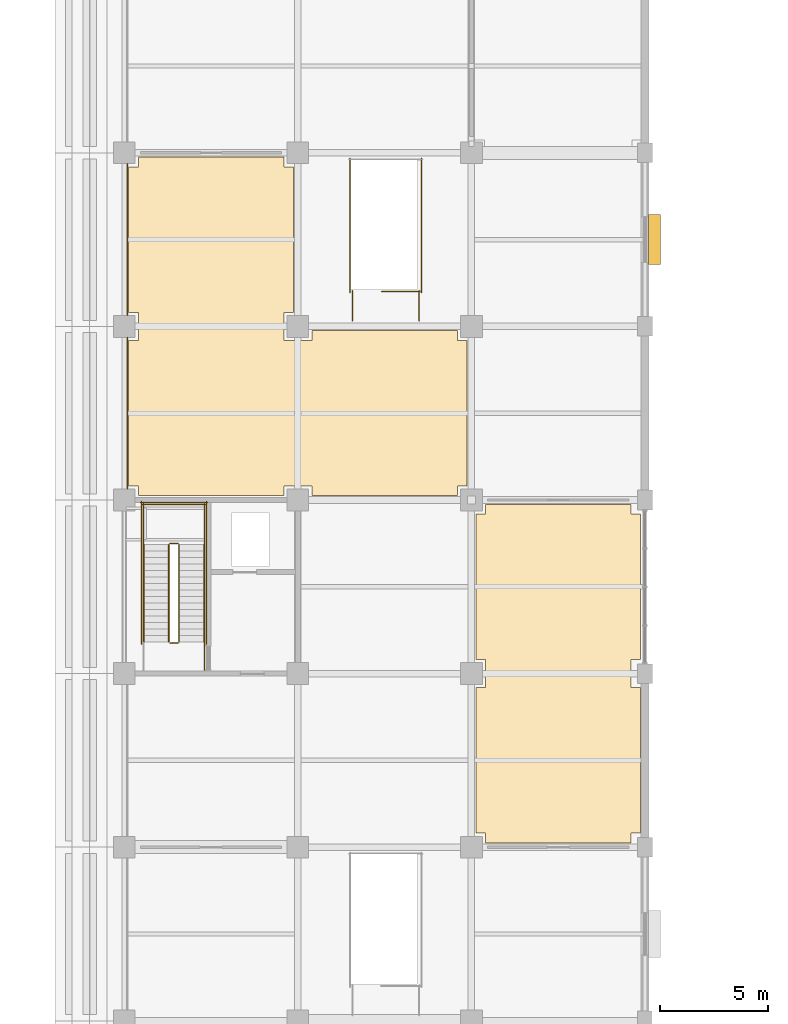
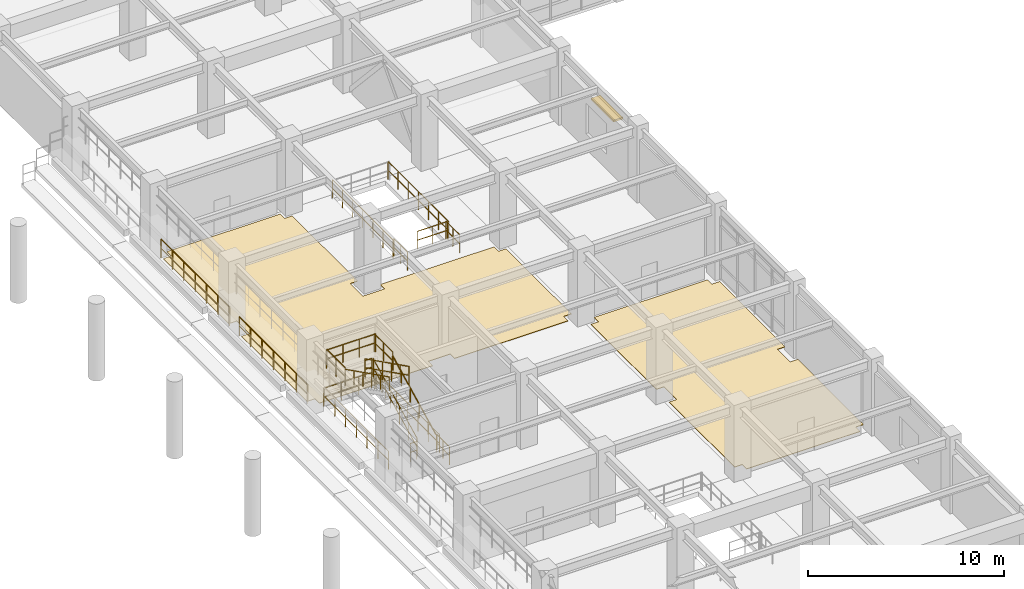
# One storey, part 110 of 117: 20 railings, 2 coverings, 1 shading device.
"""IFC4 building model written with IfcOpenShell, lengths in metres."""

from ifc_helpers import new_model, si_unit, direction, frame, origin, origin_2d, place, context, subcontext, project, spatial, polyline, rectangle, circle, outline, extrude, material, layer, layer_set, type_object, element, save


model = new_model("IFC4")

# Units and contexts
model_context = context("Model", 3, precision=1e-05, world=origin(), true_north=direction((0.0, 1.0)))
body_context = subcontext(model_context, "Body", "Model", "MODEL_VIEW")
ifc_project = project(units=[si_unit("LENGTHUNIT", "METRE"), si_unit("AREAUNIT", "SQUARE_METRE"), si_unit("VOLUMEUNIT", "CUBIC_METRE"), si_unit("PLANEANGLEUNIT", "RADIAN"), si_unit("MASSUNIT", "GRAM", prefix="KILO")], contexts=[model_context])

# Site, building, storey
site_placement = place(None, origin())
site = spatial("IfcSite", under=ifc_project, at=site_placement, CompositionType="ELEMENT")
building_placement = place(site_placement, origin())
building = spatial("IfcBuilding", under=site, at=building_placement, Name="Haebicheon Civic Stadium", CompositionType="ELEMENT")
storey_placement = place(building_placement, frame((0.0, 0.0, 4.800048828125)))
storey = spatial("IfcBuildingStorey", under=building, at=storey_placement, Name="L02", CompositionType="ELEMENT", Elevation=4.800048828125)

# Coverings
ifc_material_1 = material(Name="Quartz epoxy resin mortar", Category="concrete")
ifc_layer_1 = layer(ifc_material_1, 0.030029296875, Name="Quartz epoxy resin mortar")
ifc_layer_set_1 = layer_set([ifc_layer_1], Name="Quartz epoxy resin mortar")
covering_type = type_object("IfcCoveringType", Name="COV-FLR-EPX", PredefinedType="FLOORING", material=ifc_layer_set_1)
covering_1_placement = place(storey_placement, origin())
element("IfcCovering", 1, at=covering_1_placement, inside=storey, type_object=covering_type, material=ifc_layer_set_1, Name="L02 Main Spectator Concourse non-slip floor finish", PredefinedType="FLOORING", context=body_context, shape_type="SweptSolid", body=[
    extrude(outline(polyline([(144.199951171875, 119.35009765625), (144.64990234375, 119.35009765625), (144.64990234375, 120.64990234375), (144.199951171875, 120.64990234375), (144.199951171875, 127.35009765625), (144.64990234375, 127.35009765625), (144.64990234375, 127.800048828125), (151.35009765625, 127.800048828125), (151.35009765625, 127.35009765625), (151.800048828125, 127.35009765625), (151.800048828125, 120.64990234375), (151.35009765625, 120.64990234375), (151.35009765625, 119.35009765625), (152.64990234375, 119.35009765625), (152.64990234375, 119.800048828125), (159.35009765625, 119.800048828125), (159.35009765625, 119.35009765625), (159.800048828125, 119.35009765625), (159.800048828125, 112.64990234375), (159.35009765625, 112.64990234375), (159.35009765625, 112.199951171875), (152.64990234375, 112.199951171875), (152.64990234375, 112.64990234375), (151.35009765625, 112.64990234375), (151.35009765625, 112.199951171875), (144.64990234375, 112.199951171875), (144.64990234375, 112.64990234375), (144.199951171875, 112.64990234375), (144.199951171875, 119.35009765625)])), origin(), (0.0, 0.0, 1.0), 0.030029296875),
])
covering_2_placement = place(storey_placement, origin())
element("IfcCovering", 2, at=covering_2_placement, inside=storey, type_object=covering_type, material=ifc_layer_set_1, Name="L02 Main Spectator Concourse non-slip floor finish", PredefinedType="FLOORING", context=body_context, shape_type="SweptSolid", body=[
    extrude(outline(polyline([(160.64990234375, 96.199951171875), (160.64990234375, 96.64990234375), (160.199951171875, 96.64990234375), (160.199951171875, 103.35009765625), (160.64990234375, 103.35009765625), (160.64990234375, 104.64990234375), (160.199951171875, 104.64990234375), (160.199951171875, 111.35009765625), (160.64990234375, 111.35009765625), (160.64990234375, 111.800048828125), (167.35009765625, 111.800048828125), (167.35009765625, 111.35009765625), (167.800048828125, 111.35009765625), (167.800048828125, 104.64990234375), (167.35009765625, 104.64990234375), (167.35009765625, 103.35009765625), (167.800048828125, 103.35009765625), (167.800048828125, 96.64990234375), (167.35009765625, 96.64990234375), (167.35009765625, 96.199951171875), (160.64990234375, 96.199951171875)])), origin(), (0.0, 0.0, 1.0), 0.030029296875),
])

# Railings
ifc_material_2 = material(Name="Stainless steel 316 and laminated glass", Category="steel")
railing_type_1 = type_object("IfcRailingType", Name="RL-BAL-1200", PredefinedType="BALUSTRADE", material=ifc_material_2)
for number, where, name in (
    (3, (144.139892578125, 112.5, 0.0), "L02 concourse bowl-edge balustrade 030"),
    (4, (144.139892578125, 120.5, 0.0), "L02 concourse bowl-edge balustrade 031"),
):
    element("IfcRailing", number, at=place(storey_placement, frame(where)), inside=storey, type_object=railing_type_1, material=ifc_material_2, Name=name, PredefinedType="BALUSTRADE", context=body_context, shape_type="SweptSolid", body=[
        extrude(circle(Radius=0.02392578125, at=origin_2d()), frame((0.0, 0.0, 1.17578125), z_axis=(0.0, 1.0, 0.0), x_axis=(-1.0, 0.0, 0.0)), (0.0, 0.0, 1.0), 7.0),
        extrude(circle(Radius=0.02392578125, at=origin_2d()), frame((0.0, 0.0, 0.60009765625), z_axis=(0.0, 1.0, 0.0), x_axis=(-1.0, 0.0, 0.0)), (0.0, 0.0, 1.0), 7.0),
        extrude(circle(Radius=0.02099609375, at=origin_2d()), origin(), (0.0, 0.0, 1.0), 1.15185546875),
        extrude(circle(Radius=0.02099609375, at=origin_2d()), frame((0.0, 1.166748046875, 0.0)), (0.0, 0.0, 1.0), 1.15185546875),
        extrude(circle(Radius=0.02099609375, at=origin_2d()), frame((0.0, 2.333251953125, 0.0)), (0.0, 0.0, 1.0), 1.15185546875),
        extrude(circle(Radius=0.02099609375, at=origin_2d()), frame((0.0, 3.5, 0.0)), (0.0, 0.0, 1.0), 1.15185546875),
        extrude(circle(Radius=0.02099609375, at=origin_2d()), frame((0.0, 4.666748046875, 0.0)), (0.0, 0.0, 1.0), 1.15185546875),
        extrude(circle(Radius=0.02099609375, at=origin_2d()), frame((0.0, 5.833251953125, 0.0)), (0.0, 0.0, 1.0), 1.15185546875),
        extrude(circle(Radius=0.02099609375, at=origin_2d()), frame((0.0, 7.0, 0.0)), (0.0, 0.0, 1.0), 1.15185546875),
    ])
ifc_material_3 = material(Name="Galvanised painted steel SM355", Category="steel")
railing_type_2 = type_object("IfcRailingType", Name="RL-GRD-1150", PredefinedType="GUARDRAIL", material=ifc_material_3)
railing_1_placement = place(storey_placement, frame((146.530029296875, 105.449951171875, 0.14990234375)))
element("IfcRailing", 5, at=railing_1_placement, inside=storey, type_object=railing_type_2, material=ifc_material_3, Name="L02 ST-11 stair guard 1", PredefinedType="GUARDRAIL", context=body_context, shape_type="SweptSolid", body=[
    extrude(circle(Radius=0.02392578125, at=origin_2d()), frame((0.0, 0.0, 1.1259765625), z_axis=(0.0, 0.894427191, 0.4472135955), x_axis=(-1.0, 0.0, 0.0)), (0.0, 0.0, 1.0), 5.03125),
    extrude(circle(Radius=0.02392578125, at=origin_2d()), frame((0.0, 0.0, 0.574951171875), z_axis=(0.0, 0.894427191, 0.4472135955), x_axis=(-1.0, 0.0, 0.0)), (0.0, 0.0, 1.0), 5.03125),
    extrude(circle(Radius=0.02099609375, at=origin_2d()), origin(), (0.0, 0.0, 1.0), 1.101806640625),
    extrude(circle(Radius=0.02099609375, at=origin_2d()), frame((0.0, 0.89990234375, 0.449951171875)), (0.0, 0.0, 1.0), 1.101806640625),
    extrude(circle(Radius=0.02099609375, at=origin_2d()), frame((0.0, 1.800048828125, 0.89990234375)), (0.0, 0.0, 1.0), 1.101806640625),
    extrude(circle(Radius=0.02099609375, at=origin_2d()), frame((0.0, 2.699951171875, 1.35009765625)), (0.0, 0.0, 1.0), 1.101806640625),
    extrude(circle(Radius=0.02099609375, at=origin_2d()), frame((0.0, 3.60009765625, 1.800048828125)), (0.0, 0.0, 1.0), 1.101806640625),
    extrude(circle(Radius=0.02099609375, at=origin_2d()), frame((0.0, 4.5, 2.25)), (0.0, 0.0, 1.0), 1.101806640625),
])
railing_2_placement = place(storey_placement, frame((146.47998046875, 110.0, 2.39990234375)))
element("IfcRailing", 6, at=railing_2_placement, inside=storey, type_object=railing_type_2, material=ifc_material_3, Name="L02 ST-11 stair guard 2", PredefinedType="GUARDRAIL", context=body_context, shape_type="SweptSolid", body=[
    extrude(circle(Radius=0.02392578125, at=origin_2d()), frame((0.0, 0.0, 1.1259765625), z_axis=(-1.0, 0.0, 0.0), x_axis=(0.0, -1.0, 0.0)), (0.0, 0.0, 1.0), 0.3798828125),
    extrude(circle(Radius=0.02392578125, at=origin_2d()), frame((0.0, 0.0, 0.574951171875), z_axis=(-1.0, 0.0, 0.0), x_axis=(0.0, -1.0, 0.0)), (0.0, 0.0, 1.0), 0.3798828125),
    extrude(circle(Radius=0.02099609375, at=origin_2d()), origin(), (0.0, 0.0, 1.0), 1.101806640625),
    extrude(circle(Radius=0.02099609375, at=origin_2d()), frame((-0.3798828125, 0.0, 0.0)), (0.0, 0.0, 1.0), 1.101806640625),
])
for number, where, name in (
    (7, (147.68994140625, 109.949951171875, 2.39990234375), "L02 ST-11 stair guard 3"),
    (8, (144.889892578125, 109.949951171875, 2.39990234375), "L02 ST-11 stair guard 4"),
):
    element("IfcRailing", number, at=place(storey_placement, frame(where)), inside=storey, type_object=railing_type_2, material=ifc_material_3, Name=name, PredefinedType="GUARDRAIL", context=body_context, shape_type="SweptSolid", body=[
        extrude(circle(Radius=0.02392578125, at=origin_2d()), frame((0.0, 0.0, 1.1259765625), z_axis=(0.0, 1.0, 0.0), x_axis=(-1.0, 0.0, 0.0)), (0.0, 0.0, 1.0), 1.89013671875),
        extrude(circle(Radius=0.02392578125, at=origin_2d()), frame((0.0, 0.0, 0.574951171875), z_axis=(0.0, 1.0, 0.0), x_axis=(-1.0, 0.0, 0.0)), (0.0, 0.0, 1.0), 1.89013671875),
        extrude(circle(Radius=0.02099609375, at=origin_2d()), origin(), (0.0, 0.0, 1.0), 1.101806640625),
        extrude(circle(Radius=0.02099609375, at=origin_2d()), frame((0.0, 0.945068359375, 0.0)), (0.0, 0.0, 1.0), 1.101806640625),
        extrude(circle(Radius=0.02099609375, at=origin_2d()), frame((0.0, 1.89013671875, 0.0)), (0.0, 0.0, 1.0), 1.101806640625),
    ])
railing_3_placement = place(storey_placement, frame((147.739990234375, 111.7900390625, 2.39990234375)))
element("IfcRailing", 9, at=railing_3_placement, inside=storey, type_object=railing_type_2, material=ifc_material_3, Name="L02 ST-11 stair guard 5", PredefinedType="GUARDRAIL", context=body_context, shape_type="SweptSolid", body=[
    extrude(circle(Radius=0.02392578125, at=origin_2d()), frame((0.0, 0.0, 1.1259765625), z_axis=(-1.0, 0.0, 0.0), x_axis=(0.0, -1.0, 0.0)), (0.0, 0.0, 1.0), 2.89990234375),
    extrude(circle(Radius=0.02392578125, at=origin_2d()), frame((0.0, 0.0, 0.574951171875), z_axis=(-1.0, 0.0, 0.0), x_axis=(0.0, -1.0, 0.0)), (0.0, 0.0, 1.0), 2.89990234375),
    extrude(circle(Radius=0.02099609375, at=origin_2d()), origin(), (0.0, 0.0, 1.0), 1.101806640625),
    extrude(circle(Radius=0.02099609375, at=origin_2d()), frame((-0.966552734375, 0.0, 0.0)), (0.0, 0.0, 1.0), 1.101806640625),
    extrude(circle(Radius=0.02099609375, at=origin_2d()), frame((-1.933349609375, 0.0, 0.0)), (0.0, 0.0, 1.0), 1.101806640625),
    extrude(circle(Radius=0.02099609375, at=origin_2d()), frame((-2.89990234375, 0.0, 0.0)), (0.0, 0.0, 1.0), 1.101806640625),
])
railing_4_placement = place(storey_placement, frame((146.050048828125, 109.949951171875, 2.550048828125)))
element("IfcRailing", 10, at=railing_4_placement, inside=storey, type_object=railing_type_2, material=ifc_material_3, Name="L02 ST-11 stair guard 6", PredefinedType="GUARDRAIL", context=body_context, shape_type="SweptSolid", body=[
    extrude(circle(Radius=0.02392578125, at=origin_2d()), frame((0.0, 0.0, 1.1259765625), z_axis=(0.0, -0.894427191, 0.4472135955), x_axis=(1.0, 0.0, 0.0)), (0.0, 0.0, 1.0), 5.03125),
    extrude(circle(Radius=0.02392578125, at=origin_2d()), frame((0.0, 0.0, 0.574951171875), z_axis=(0.0, -0.894427191, 0.4472135955), x_axis=(1.0, 0.0, 0.0)), (0.0, 0.0, 1.0), 5.03125),
    extrude(circle(Radius=0.02099609375, at=origin_2d()), origin(), (0.0, 0.0, 1.0), 1.101806640625),
    extrude(circle(Radius=0.02099609375, at=origin_2d()), frame((0.0, -0.89990234375, 0.449951171875)), (0.0, 0.0, 1.0), 1.101806640625),
    extrude(circle(Radius=0.02099609375, at=origin_2d()), frame((0.0, -1.800048828125, 0.89990234375)), (0.0, 0.0, 1.0), 1.101806640625),
    extrude(circle(Radius=0.02099609375, at=origin_2d()), frame((0.0, -2.699951171875, 1.35009765625)), (0.0, 0.0, 1.0), 1.101806640625),
    extrude(circle(Radius=0.02099609375, at=origin_2d()), frame((0.0, -3.60009765625, 1.800048828125)), (0.0, 0.0, 1.0), 1.101806640625),
    extrude(circle(Radius=0.02099609375, at=origin_2d()), frame((0.0, -4.5, 2.25)), (0.0, 0.0, 1.0), 1.101806640625),
])
railing_5_placement = place(storey_placement, frame((146.47998046875, 105.39990234375, 0.0)))
element("IfcRailing", 11, at=railing_5_placement, inside=storey, type_object=railing_type_2, material=ifc_material_3, Name="L02 ST-11 stair guard 7", PredefinedType="GUARDRAIL", context=body_context, shape_type="SweptSolid", body=[
    extrude(circle(Radius=0.02392578125, at=origin_2d()), frame((0.0, 0.0, 1.1259765625), z_axis=(-1.0, 0.0, 0.0), x_axis=(0.0, -1.0, 0.0)), (0.0, 0.0, 1.0), 0.3798828125),
    extrude(circle(Radius=0.02392578125, at=origin_2d()), frame((0.0, 0.0, 0.574951171875), z_axis=(-1.0, 0.0, 0.0), x_axis=(0.0, -1.0, 0.0)), (0.0, 0.0, 1.0), 0.3798828125),
    extrude(circle(Radius=0.02099609375, at=origin_2d()), origin(), (0.0, 0.0, 1.0), 1.101806640625),
    extrude(circle(Radius=0.02099609375, at=origin_2d()), frame((-0.3798828125, 0.0, 0.0)), (0.0, 0.0, 1.0), 1.101806640625),
])
railing_6_placement = place(storey_placement, frame((147.68994140625, 104.159912109375, 0.0)))
element("IfcRailing", 12, at=railing_6_placement, inside=storey, type_object=railing_type_2, material=ifc_material_3, Name="L02 ST-11 stair guard 8", PredefinedType="GUARDRAIL", context=body_context, shape_type="SweptSolid", body=[
    extrude(circle(Radius=0.02392578125, at=origin_2d()), frame((0.0, 0.0, 1.1259765625), z_axis=(0.0, 1.0, 0.0), x_axis=(-1.0, 0.0, 0.0)), (0.0, 0.0, 1.0), 1.2900390625),
    extrude(circle(Radius=0.02392578125, at=origin_2d()), frame((0.0, 0.0, 0.574951171875), z_axis=(0.0, 1.0, 0.0), x_axis=(-1.0, 0.0, 0.0)), (0.0, 0.0, 1.0), 1.2900390625),
    extrude(circle(Radius=0.02099609375, at=origin_2d()), origin(), (0.0, 0.0, 1.0), 1.101806640625),
    extrude(circle(Radius=0.02099609375, at=origin_2d()), frame((0.0, 0.64501953125, 0.0)), (0.0, 0.0, 1.0), 1.101806640625),
    extrude(circle(Radius=0.02099609375, at=origin_2d()), frame((0.0, 1.2900390625, 0.0)), (0.0, 0.0, 1.0), 1.101806640625),
])
for number, where, name in (
    (13, (147.7900390625, 105.35009765625, 0.0), "L02 ST-11 stair guard 10"),
    (14, (144.7900390625, 105.35009765625, 0.0), "L02 ST-11 stair guard 11"),
):
    element("IfcRailing", number, at=place(storey_placement, frame(where)), inside=storey, type_object=railing_type_2, material=ifc_material_3, Name=name, PredefinedType="GUARDRAIL", context=body_context, shape_type="SweptSolid", body=[
        extrude(circle(Radius=0.02392578125, at=origin_2d()), frame((0.0, 0.0, 1.1259765625), z_axis=(0.0, 1.0, 0.0), x_axis=(-1.0, 0.0, 0.0)), (0.0, 0.0, 1.0), 6.58984375),
        extrude(circle(Radius=0.02392578125, at=origin_2d()), frame((0.0, 0.0, 0.574951171875), z_axis=(0.0, 1.0, 0.0), x_axis=(-1.0, 0.0, 0.0)), (0.0, 0.0, 1.0), 6.58984375),
        extrude(circle(Radius=0.02099609375, at=origin_2d()), origin(), (0.0, 0.0, 1.0), 1.101806640625),
        extrude(circle(Radius=0.02099609375, at=origin_2d()), frame((0.0, 1.098388671875, 0.0)), (0.0, 0.0, 1.0), 1.101806640625),
        extrude(circle(Radius=0.02099609375, at=origin_2d()), frame((0.0, 2.196533203125, 0.0)), (0.0, 0.0, 1.0), 1.101806640625),
        extrude(circle(Radius=0.02099609375, at=origin_2d()), frame((0.0, 3.294921875, 0.0)), (0.0, 0.0, 1.0), 1.101806640625),
        extrude(circle(Radius=0.02099609375, at=origin_2d()), frame((0.0, 4.393310546875, 0.0)), (0.0, 0.0, 1.0), 1.101806640625),
        extrude(circle(Radius=0.02099609375, at=origin_2d()), frame((0.0, 5.491455078125, 0.0)), (0.0, 0.0, 1.0), 1.101806640625),
        extrude(circle(Radius=0.02099609375, at=origin_2d()), frame((0.0, 6.58984375, 0.0)), (0.0, 0.0, 1.0), 1.101806640625),
    ])
railing_7_placement = place(storey_placement, frame((147.840087890625, 111.889892578125, 0.0)))
element("IfcRailing", 15, at=railing_7_placement, inside=storey, type_object=railing_type_2, material=ifc_material_3, Name="L02 ST-11 stair guard 12", PredefinedType="GUARDRAIL", context=body_context, shape_type="SweptSolid", body=[
    extrude(circle(Radius=0.02392578125, at=origin_2d()), frame((0.0, 0.0, 1.1259765625), z_axis=(-1.0, 0.0, 0.0), x_axis=(0.0, -1.0, 0.0)), (0.0, 0.0, 1.0), 3.10009765625),
    extrude(circle(Radius=0.02392578125, at=origin_2d()), frame((0.0, 0.0, 0.574951171875), z_axis=(-1.0, 0.0, 0.0), x_axis=(0.0, -1.0, 0.0)), (0.0, 0.0, 1.0), 3.10009765625),
    extrude(circle(Radius=0.02099609375, at=origin_2d()), origin(), (0.0, 0.0, 1.0), 1.101806640625),
    extrude(circle(Radius=0.02099609375, at=origin_2d()), frame((-1.033447265625, 0.0, 0.0)), (0.0, 0.0, 1.0), 1.101806640625),
    extrude(circle(Radius=0.02099609375, at=origin_2d()), frame((-2.066650390625, 0.0, 0.0)), (0.0, 0.0, 1.0), 1.101806640625),
    extrude(circle(Radius=0.02099609375, at=origin_2d()), frame((-3.10009765625, 0.0, 0.0)), (0.0, 0.0, 1.0), 1.101806640625),
])
railing_8_placement = place(storey_placement, frame((157.639892578125, 121.60009765625, 0.0)))
element("IfcRailing", 16, at=railing_8_placement, inside=storey, type_object=railing_type_2, material=ifc_material_3, Name="L02 VM-08 top well guard 1", PredefinedType="GUARDRAIL", context=body_context, shape_type="SweptSolid", body=[
    extrude(circle(Radius=0.02392578125, at=origin_2d()), frame((0.0, 0.0, 1.1259765625), z_axis=(-1.0, 0.0, 0.0), x_axis=(0.0, -1.0, 0.0)), (0.0, 0.0, 1.0), 1.77978515625),
    extrude(circle(Radius=0.02392578125, at=origin_2d()), frame((0.0, 0.0, 0.574951171875), z_axis=(-1.0, 0.0, 0.0), x_axis=(0.0, -1.0, 0.0)), (0.0, 0.0, 1.0), 1.77978515625),
    extrude(circle(Radius=0.02099609375, at=origin_2d()), origin(), (0.0, 0.0, 1.0), 1.101806640625),
    extrude(circle(Radius=0.02099609375, at=origin_2d()), frame((-0.889892578125, 0.0, 0.0)), (0.0, 0.0, 1.0), 1.101806640625),
    extrude(circle(Radius=0.02099609375, at=origin_2d()), frame((-1.77978515625, 0.0, 0.0)), (0.0, 0.0, 1.0), 1.101806640625),
])
for number, where, name in (
    (17, (157.68994140625, 121.550048828125, 0.0), "L02 VM-08 top well guard 2"),
    (18, (154.409912109375, 121.550048828125, 0.0), "L02 VM-08 top well guard 3"),
):
    element("IfcRailing", number, at=place(storey_placement, frame(where)), inside=storey, type_object=railing_type_2, material=ifc_material_3, Name=name, PredefinedType="GUARDRAIL", context=body_context, shape_type="SweptSolid", body=[
        extrude(circle(Radius=0.02392578125, at=origin_2d()), frame((0.0, 0.0, 1.1259765625), z_axis=(0.0, 1.0, 0.0), x_axis=(-1.0, 0.0, 0.0)), (0.0, 0.0, 1.0), 6.199951171875),
        extrude(circle(Radius=0.02392578125, at=origin_2d()), frame((0.0, 0.0, 0.574951171875), z_axis=(0.0, 1.0, 0.0), x_axis=(-1.0, 0.0, 0.0)), (0.0, 0.0, 1.0), 6.199951171875),
        extrude(circle(Radius=0.02099609375, at=origin_2d()), origin(), (0.0, 0.0, 1.0), 1.101806640625),
        extrude(circle(Radius=0.02099609375, at=origin_2d()), frame((0.0, 1.033203125, 0.0)), (0.0, 0.0, 1.0), 1.101806640625),
        extrude(circle(Radius=0.02099609375, at=origin_2d()), frame((0.0, 2.066650390625, 0.0)), (0.0, 0.0, 1.0), 1.101806640625),
        extrude(circle(Radius=0.02099609375, at=origin_2d()), frame((0.0, 3.10009765625, 0.0)), (0.0, 0.0, 1.0), 1.101806640625),
        extrude(circle(Radius=0.02099609375, at=origin_2d()), frame((0.0, 4.13330078125, 0.0)), (0.0, 0.0, 1.0), 1.101806640625),
        extrude(circle(Radius=0.02099609375, at=origin_2d()), frame((0.0, 5.16650390625, 0.0)), (0.0, 0.0, 1.0), 1.101806640625),
        extrude(circle(Radius=0.02099609375, at=origin_2d()), frame((0.0, 6.199951171875, 0.0)), (0.0, 0.0, 1.0), 1.101806640625),
    ])
for number, where, name in (
    (19, (157.590087890625, 120.25, 0.0), "L02 VM-08 top well guard 5"),
    (20, (154.510009765625, 120.25, 0.0), "L02 VM-08 top well guard 6"),
):
    element("IfcRailing", number, at=place(storey_placement, frame(where)), inside=storey, type_object=railing_type_2, material=ifc_material_3, Name=name, PredefinedType="GUARDRAIL", context=body_context, shape_type="SweptSolid", body=[
        extrude(circle(Radius=0.02392578125, at=origin_2d()), frame((0.0, 0.0, 1.1259765625), z_axis=(0.0, 1.0, 0.0), x_axis=(-1.0, 0.0, 0.0)), (0.0, 0.0, 1.0), 1.39990234375),
        extrude(circle(Radius=0.02392578125, at=origin_2d()), frame((0.0, 0.0, 0.574951171875), z_axis=(0.0, 1.0, 0.0), x_axis=(-1.0, 0.0, 0.0)), (0.0, 0.0, 1.0), 1.39990234375),
        extrude(circle(Radius=0.02099609375, at=origin_2d()), origin(), (0.0, 0.0, 1.0), 1.101806640625),
        extrude(circle(Radius=0.02099609375, at=origin_2d()), frame((0.0, 0.699951171875, 0.0)), (0.0, 0.0, 1.0), 1.101806640625),
        extrude(circle(Radius=0.02099609375, at=origin_2d()), frame((0.0, 1.39990234375, 0.0)), (0.0, 0.0, 1.0), 1.101806640625),
    ])
ifc_material_4 = material(Name="Stainless steel 316", Category="steel")
railing_type_3 = type_object("IfcRailingType", Name="RL-HND-900", PredefinedType="HANDRAIL", material=ifc_material_4)
railing_9_placement = place(storey_placement, frame((147.68994140625, 105.449951171875, 0.14990234375)))
element("IfcRailing", 21, at=railing_9_placement, inside=storey, type_object=railing_type_3, material=ifc_material_4, Name="L02 ST-11 stair handrail 1", PredefinedType="HANDRAIL", context=body_context, shape_type="SweptSolid", body=[
    extrude(circle(Radius=0.02392578125, at=origin_2d()), frame((0.0, 0.0, 0.8759765625), z_axis=(0.0, 0.894427191, 0.4472135955), x_axis=(-1.0, 0.0, 0.0)), (0.0, 0.0, 1.0), 5.03125),
    extrude(circle(Radius=0.02099609375, at=origin_2d()), origin(), (0.0, 0.0, 1.0), 0.851806640625),
    extrude(circle(Radius=0.02099609375, at=origin_2d()), frame((0.0, 0.89990234375, 0.449951171875)), (0.0, 0.0, 1.0), 0.851806640625),
    extrude(circle(Radius=0.02099609375, at=origin_2d()), frame((0.0, 1.800048828125, 0.89990234375)), (0.0, 0.0, 1.0), 0.851806640625),
    extrude(circle(Radius=0.02099609375, at=origin_2d()), frame((0.0, 2.699951171875, 1.35009765625)), (0.0, 0.0, 1.0), 0.851806640625),
    extrude(circle(Radius=0.02099609375, at=origin_2d()), frame((0.0, 3.60009765625, 1.800048828125)), (0.0, 0.0, 1.0), 0.851806640625),
    extrude(circle(Radius=0.02099609375, at=origin_2d()), frame((0.0, 4.5, 2.25)), (0.0, 0.0, 1.0), 0.851806640625),
])
railing_10_placement = place(storey_placement, frame((144.889892578125, 109.949951171875, 2.550048828125)))
element("IfcRailing", 22, at=railing_10_placement, inside=storey, type_object=railing_type_3, material=ifc_material_4, Name="L02 ST-11 stair handrail 2", PredefinedType="HANDRAIL", context=body_context, shape_type="SweptSolid", body=[
    extrude(circle(Radius=0.02392578125, at=origin_2d()), frame((0.0, 0.0, 0.8759765625), z_axis=(0.0, -0.894427191, 0.4472135955), x_axis=(1.0, 0.0, 0.0)), (0.0, 0.0, 1.0), 5.03125),
    extrude(circle(Radius=0.02099609375, at=origin_2d()), origin(), (0.0, 0.0, 1.0), 0.851806640625),
    extrude(circle(Radius=0.02099609375, at=origin_2d()), frame((0.0, -0.89990234375, 0.449951171875)), (0.0, 0.0, 1.0), 0.851806640625),
    extrude(circle(Radius=0.02099609375, at=origin_2d()), frame((0.0, -1.800048828125, 0.89990234375)), (0.0, 0.0, 1.0), 0.851806640625),
    extrude(circle(Radius=0.02099609375, at=origin_2d()), frame((0.0, -2.699951171875, 1.35009765625)), (0.0, 0.0, 1.0), 0.851806640625),
    extrude(circle(Radius=0.02099609375, at=origin_2d()), frame((0.0, -3.60009765625, 1.800048828125)), (0.0, 0.0, 1.0), 0.851806640625),
    extrude(circle(Radius=0.02099609375, at=origin_2d()), frame((0.0, -4.5, 2.25)), (0.0, 0.0, 1.0), 0.851806640625),
])

# Shading device
ifc_material_5 = material(Name="Anodised aluminium 6063-T6", Category="aluminium")
ifc_layer_2 = layer(ifc_material_5, 0.1201171875, Name="Anodised aluminium 6063-T6")
ifc_layer_set_2 = layer_set([ifc_layer_2], Name="Anodised aluminium 6063-T6")
shading_device_type = type_object("IfcShadingDeviceType", Name="SHD-ALU-LVR", PredefinedType="USERDEFINED", material=ifc_layer_set_2)
shading_device_placement = place(storey_placement, frame((168.445068359375, 124.0, 2.869873046875), z_axis=(0.0, 0.0, 1.0), x_axis=(1.0, 0.0, 0.0)))
element("IfcShadingDevice", 23, at=shading_device_placement, inside=storey, type_object=shading_device_type, material=ifc_layer_set_2, Name="L02 window sunshade louvre hood 20", ObjectType="LOUVRE", PredefinedType="USERDEFINED", context=body_context, shape_type="SweptSolid", body=[
    extrude(rectangle(XDim=0.550048828125, YDim=2.300048828125, at=origin_2d()), origin(), (0.0, 0.0, 1.0), 0.1201171875),
])

save(model, "model.ifc")
